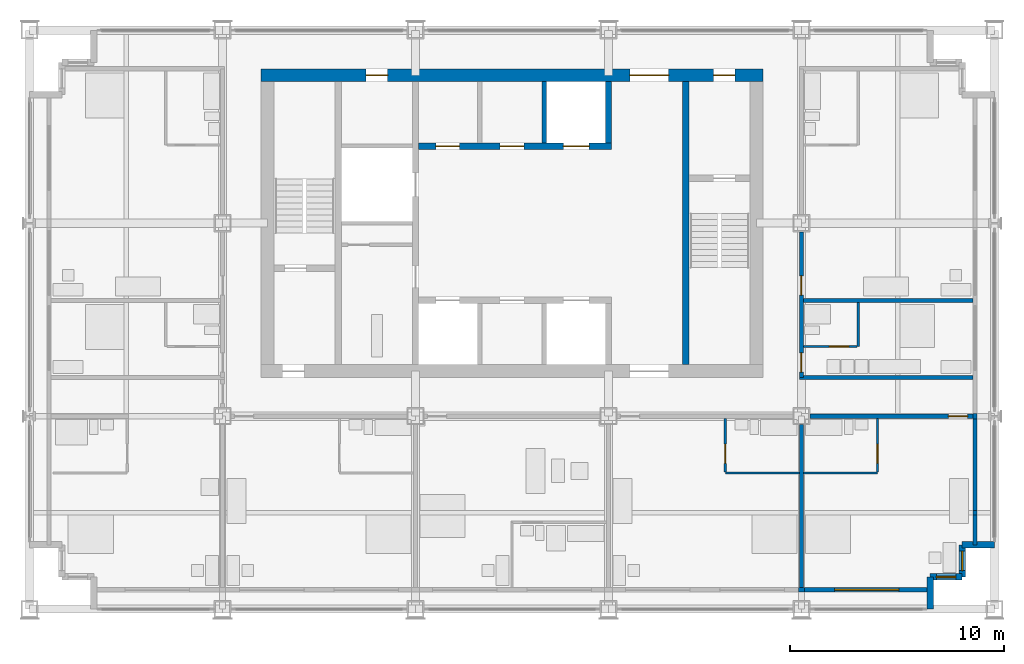
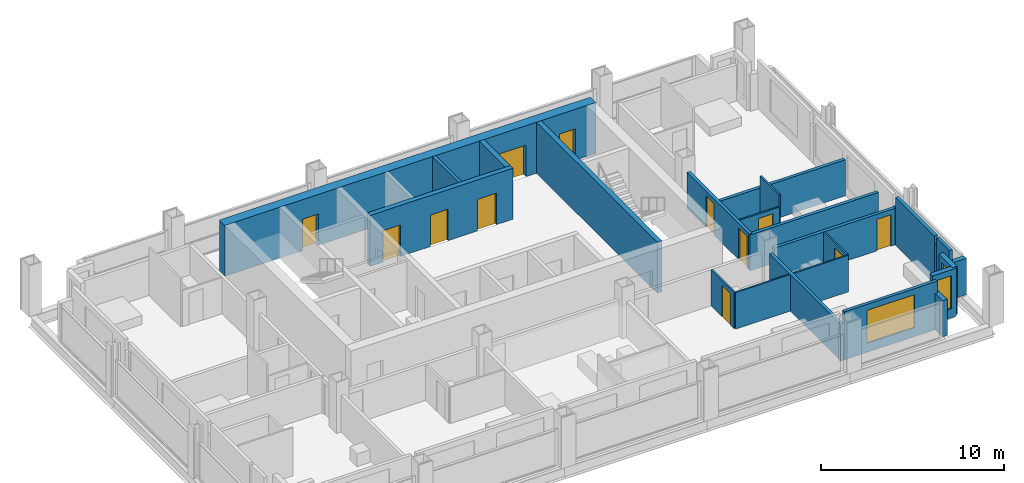
# One storey, part 9 of 13: 26 walls, 12 doors, 3 windows, 15 openings.
"""IFC4 building model written with IfcOpenShell, lengths in metres."""

from ifc_helpers import new_model, si_unit, direction, frame, frame_2d, origin, place, context, subcontext, project, spatial, rectangle, extrude, material, layer, layer_set, type_object, element, fill, save


model = new_model("IFC4")

# Units and contexts
model_context = context("Model", 3, precision=1e-05, world=origin(), true_north=direction((0.0, 1.0)))
body_context = subcontext(model_context, "Body", "Model", "MODEL_VIEW")
ifc_project = project(units=[si_unit("LENGTHUNIT", "METRE"), si_unit("AREAUNIT", "SQUARE_METRE"), si_unit("VOLUMEUNIT", "CUBIC_METRE"), si_unit("PLANEANGLEUNIT", "RADIAN"), si_unit("MASSUNIT", "GRAM", prefix="KILO")], contexts=[model_context])

# Site, building, storey
site_placement = place(None, origin())
site = spatial("IfcSite", under=ifc_project, at=site_placement, CompositionType="ELEMENT")
building_placement = place(site_placement, origin())
building = spatial("IfcBuilding", under=site, at=building_placement, Name="Loomwork Tower", CompositionType="ELEMENT")
storey_placement = place(building_placement, frame((0.0, 0.0, 180.800048828125)))
storey = spatial("IfcBuildingStorey", under=building, at=storey_placement, Name="L49", CompositionType="ELEMENT", Elevation=180.800048828125)

# Wall, openings, doors
ifc_material_1 = material(Name="Concrete 14000 psi (97 MPa)", Category="concrete")
ifc_layer_1 = layer(ifc_material_1, 0.300048828125)
ifc_layer_set_1 = layer_set([ifc_layer_1], Name="Core shear wall 300")
wall_type_1 = type_object("IfcWallType", Name="Core shear wall 300", PredefinedType="SHEAR", material=ifc_layer_set_1)
wall_1_placement = place(storey_placement, frame((18.14990234375, 21.60009765625, 0.0), z_axis=(0.0, 0.0, 1.0), x_axis=(1.0, 0.0, 0.0)))
wall_1 = element("IfcWall", 1, at=wall_1_placement, inside=storey, type_object=wall_type_1, Name="Lift front wall north L49", PredefinedType="SHEAR", context=body_context, shape_type="SweptSolid", body=[
    extrude(rectangle(XDim=9.0, YDim=0.300048828125, at=frame_2d((4.5, 0.0))), origin(), (0.0, 0.0, 1.0), 3.39990234375),
])
opening_1_placement = place(wall_1_placement, frame((6.75, 0.0, 0.0)))
opening_1 = element("IfcOpeningElement", 2, at=opening_1_placement, cuts=wall_1, Name="Opening LD2", PredefinedType="OPENING", context=body_context, shape_type="SweptSolid", body=[
    extrude(rectangle(XDim=1.199951171875, YDim=2.10009765625, at=frame_2d((0.60009765625, 1.050048828125))), frame((0.0, 0.159912109375, 0.0), z_axis=(0.0, -1.0, 0.0), x_axis=(1.0, 0.0, 0.0)), (0.0, 0.0, 1.0), 0.320068359375),
])
opening_2_placement = place(wall_1_placement, frame((0.800048828125, 0.0, 0.0)))
opening_2 = element("IfcOpeningElement", 3, at=opening_2_placement, cuts=wall_1, Name="Opening D17", PredefinedType="OPENING", context=body_context, shape_type="SweptSolid", body=[
    extrude(rectangle(XDim=1.10009765625, YDim=2.10009765625, at=frame_2d((0.550048828125, 1.050048828125))), frame((0.0, 0.159912109375, 0.0), z_axis=(0.0, -1.0, 0.0), x_axis=(1.0, 0.0, 0.0)), (0.0, 0.0, 1.0), 0.320068359375),
])
opening_3_placement = place(wall_1_placement, frame((3.800048828125, 0.0, 0.0)))
opening_3 = element("IfcOpeningElement", 4, at=opening_3_placement, cuts=wall_1, Name="Opening D17", PredefinedType="OPENING", context=body_context, shape_type="SweptSolid", body=[
    extrude(rectangle(XDim=1.10009765625, YDim=2.10009765625, at=frame_2d((0.550048828125, 1.050048828125))), frame((0.0, 0.159912109375, 0.0), z_axis=(0.0, -1.0, 0.0), x_axis=(1.0, 0.0, 0.0)), (0.0, 0.0, 1.0), 0.320068359375),
])
ifc_material_2 = material(Name="Hollow metal door and frame")
door_type_1 = type_object("IfcDoorType", Name="Lift landing door 1200", OperationType="SLIDING_TO_LEFT", PredefinedType="DOOR", material=ifc_material_2)
door_1_placement = place(opening_1_placement, origin())
door_1 = element("IfcDoor", 5, at=door_1_placement, inside=storey, type_object=door_type_1, Name="Lift landing door LF2", OperationType="SLIDING_TO_LEFT", OverallHeight=2.10009765625, OverallWidth=1.199951171875, PredefinedType="DOOR", context=body_context, shape_type="SweptSolid", body=[
    extrude(rectangle(XDim=1.199951171875, YDim=2.10009765625, at=frame_2d((0.60009765625, 1.050048828125))), frame((0.0, 0.02490234375, 0.0), z_axis=(0.0, -1.0, 0.0), x_axis=(1.0, 0.0, 0.0)), (0.0, 0.0, 1.0), 0.050048828125),
])
fill(opening_1, door_1)
ifc_material_3 = material(Name="Hollow metal door and frame")
door_type_2 = type_object("IfcDoorType", Name="Service room door 1100", OperationType="SINGLE_SWING_LEFT", PredefinedType="DOOR", material=ifc_material_3)
door_2_placement = place(opening_2_placement, origin())
door_2 = element("IfcDoor", 6, at=door_2_placement, inside=storey, type_object=door_type_2, Name="Housekeeping store door L49", OperationType="SINGLE_SWING_LEFT", OverallHeight=2.10009765625, OverallWidth=1.10009765625, PredefinedType="DOOR", context=body_context, shape_type="SweptSolid", body=[
    extrude(rectangle(XDim=1.10009765625, YDim=2.10009765625, at=frame_2d((0.550048828125, 1.050048828125))), frame((0.0, 0.02490234375, 0.0), z_axis=(0.0, -1.0, 0.0), x_axis=(1.0, 0.0, 0.0)), (0.0, 0.0, 1.0), 0.050048828125),
])
fill(opening_2, door_2)
door_3_placement = place(opening_3_placement, origin())
door_3 = element("IfcDoor", 7, at=door_3_placement, inside=storey, type_object=door_type_2, Name="Guest pantry, ice and vending door L49", OperationType="SINGLE_SWING_LEFT", OverallHeight=2.10009765625, OverallWidth=1.10009765625, PredefinedType="DOOR", context=body_context, shape_type="SweptSolid", body=[
    extrude(rectangle(XDim=1.10009765625, YDim=2.10009765625, at=frame_2d((0.550048828125, 1.050048828125))), frame((0.0, 0.02490234375, 0.0), z_axis=(0.0, -1.0, 0.0), x_axis=(1.0, 0.0, 0.0)), (0.0, 0.0, 1.0), 0.050048828125),
])
fill(opening_3, door_3)

# Walls
wall_2_placement = place(storey_placement, frame((27.0, 21.75, 0.0), z_axis=(0.0, 0.0, 1.0), x_axis=(0.0, 1.0, 0.0)))
element("IfcWall", 8, at=wall_2_placement, inside=storey, type_object=wall_type_1, Name="Lift shaft end wall north L49", PredefinedType="SHEAR", context=body_context, shape_type="SweptSolid", body=[
    extrude(rectangle(XDim=2.85009765625, YDim=0.300048828125, at=frame_2d((1.425048828125, 0.0))), origin(), (0.0, 0.0, 1.0), 3.39990234375),
])
wall_3_placement = place(storey_placement, frame((30.60009765625, 11.39990234375, 0.0), z_axis=(0.0, 0.0, 1.0), x_axis=(0.0, 1.0, 0.0)))
element("IfcWall", 9, at=wall_3_placement, inside=storey, type_object=wall_type_1, Name="Stair B west wall L49", PredefinedType="SHEAR", context=body_context, shape_type="SweptSolid", body=[
    extrude(rectangle(XDim=13.2001953125, YDim=0.300048828125, at=frame_2d((6.60009765625, 0.0))), origin(), (0.0, 0.0, 1.0), 3.39990234375),
])

# Wall, openings, doors
ifc_material_4 = material(Name="Concrete 14000 psi (97 MPa)", Category="concrete")
ifc_layer_2 = layer(ifc_material_4, 0.60009765625)
ifc_layer_set_2 = layer_set([ifc_layer_2], Name="Core shear wall 600")
wall_type_2 = type_object("IfcWallType", Name="Core shear wall 600", PredefinedType="SHEAR", material=ifc_layer_set_2)
wall_4_placement = place(storey_placement, frame((10.800048828125, 24.89990234375, 0.0), z_axis=(0.0, 0.0, 1.0), x_axis=(1.0, 0.0, 0.0)))
wall_4 = element("IfcWall", 10, at=wall_4_placement, inside=storey, type_object=wall_type_2, Name="Core wall north L49", PredefinedType="SHEAR", context=body_context, shape_type="SweptSolid", body=[
    extrude(rectangle(XDim=23.39990234375, YDim=0.60009765625, at=frame_2d((11.699951171875, 0.0))), origin(), (0.0, 0.0, 1.0), 3.39990234375),
])
opening_4_placement = place(wall_4_placement, frame((17.199951171875, 0.0, 0.0)))
opening_4 = element("IfcOpeningElement", 11, at=opening_4_placement, cuts=wall_4, Name="Opening D6", PredefinedType="OPENING", context=body_context, shape_type="SweptSolid", body=[
    extrude(rectangle(XDim=1.800048828125, YDim=2.10009765625, at=frame_2d((0.89990234375, 1.050048828125))), frame((0.0, 0.31005859375, 0.0), z_axis=(0.0, -1.0, 0.0), x_axis=(1.0, 0.0, 0.0)), (0.0, 0.0, 1.0), 0.6201171875),
])
opening_5_placement = place(wall_4_placement, frame((21.10009765625, 0.0, 0.0)))
opening_5 = element("IfcOpeningElement", 12, at=opening_5_placement, cuts=wall_4, Name="Opening D4", PredefinedType="OPENING", context=body_context, shape_type="SweptSolid", body=[
    extrude(rectangle(XDim=1.0, YDim=2.10009765625, at=frame_2d((0.5, 1.050048828125))), frame((0.0, 0.31005859375, 0.0), z_axis=(0.0, -1.0, 0.0), x_axis=(1.0, 0.0, 0.0)), (0.0, 0.0, 1.0), 0.6201171875),
])
opening_6_placement = place(wall_4_placement, frame((4.89990234375, 0.0, 0.0)))
opening_6 = element("IfcOpeningElement", 13, at=opening_6_placement, cuts=wall_4, Name="Opening D5", PredefinedType="OPENING", context=body_context, shape_type="SweptSolid", body=[
    extrude(rectangle(XDim=1.0, YDim=2.10009765625, at=frame_2d((0.5, 1.050048828125))), frame((0.0, 0.31005859375, 0.0), z_axis=(0.0, -1.0, 0.0), x_axis=(1.0, 0.0, 0.0)), (0.0, 0.0, 1.0), 0.6201171875),
])
ifc_material_5 = material(Name="Hollow metal door and frame")
door_type_3 = type_object("IfcDoorType", Name="Lobby passage double door 1800", OperationType="DOUBLE_DOOR_SINGLE_SWING", PredefinedType="DOOR", material=ifc_material_5)
door_4_placement = place(opening_4_placement, frame((1.800048828125, 0.0, 0.0), z_axis=(0.0, 0.0, 1.0), x_axis=(-1.0, 0.0, 0.0)))
door_4 = element("IfcDoor", 14, at=door_4_placement, inside=storey, type_object=door_type_3, Name="Lobby passage door north", OperationType="DOUBLE_DOOR_SINGLE_SWING", OverallHeight=2.10009765625, OverallWidth=1.800048828125, PredefinedType="DOOR", context=body_context, shape_type="SweptSolid", body=[
    extrude(rectangle(XDim=1.800048828125, YDim=2.10009765625, at=frame_2d((0.89990234375, 1.050048828125))), frame((0.0, 0.02490234375, 0.0), z_axis=(0.0, -1.0, 0.0), x_axis=(1.0, 0.0, 0.0)), (0.0, 0.0, 1.0), 0.050048828125),
])
fill(opening_4, door_4)
ifc_material_6 = material(Name="Hollow metal door and frame")
door_type_4 = type_object("IfcDoorType", Name="Service door 1000", OperationType="SINGLE_SWING_LEFT", PredefinedType="DOOR", material=ifc_material_6)
door_5_placement = place(opening_6_placement, frame((1.0, 0.0, 0.0), z_axis=(0.0, 0.0, 1.0), x_axis=(-1.0, 0.0, 0.0)))
door_5 = element("IfcDoor", 15, at=door_5_placement, inside=storey, type_object=door_type_4, Name="Back-of-house door north", OperationType="SINGLE_SWING_LEFT", OverallHeight=2.10009765625, OverallWidth=1.0, PredefinedType="DOOR", context=body_context, shape_type="SweptSolid", body=[
    extrude(rectangle(XDim=1.0, YDim=2.10009765625, at=frame_2d((0.5, 1.050048828125))), frame((0.0, 0.02490234375, 0.0), z_axis=(0.0, -1.0, 0.0), x_axis=(1.0, 0.0, 0.0)), (0.0, 0.0, 1.0), 0.050048828125),
])
fill(opening_6, door_5)
ifc_material_7 = material(Name="Hollow metal door and frame")
door_type_5 = type_object("IfcDoorType", Name="Stair door 1000", OperationType="SINGLE_SWING_RIGHT", PredefinedType="DOOR", material=ifc_material_7)
door_6_placement = place(opening_5_placement, frame((1.0, 0.0, 0.0), z_axis=(0.0, 0.0, 1.0), x_axis=(-1.0, 0.0, 0.0)))
door_6 = element("IfcDoor", 16, at=door_6_placement, inside=storey, type_object=door_type_5, Name="Stair B vestibule door", OperationType="SINGLE_SWING_LEFT", OverallHeight=2.10009765625, OverallWidth=1.0, PredefinedType="DOOR", context=body_context, shape_type="SweptSolid", body=[
    extrude(rectangle(XDim=1.0, YDim=2.10009765625, at=frame_2d((0.5, 1.050048828125))), frame((0.0, 0.02490234375, 0.0), z_axis=(0.0, -1.0, 0.0), x_axis=(1.0, 0.0, 0.0)), (0.0, 0.0, 1.0), 0.050048828125),
])
fill(opening_5, door_6)

# Wall, opening, door
ifc_material_8 = material(Name="Gypsum board on steel studs, one-hour", Category="steel")
ifc_layer_3 = layer(ifc_material_8, 0.199951171875)
ifc_layer_set_3 = layer_set([ifc_layer_3], Name="Corridor wall 200")
wall_type_3 = type_object("IfcWallType", Name="Corridor wall 200", PredefinedType="PARTITIONING", material=ifc_layer_set_3)
wall_5_placement = place(storey_placement, frame((36.39990234375, 9.0, 0.0), z_axis=(0.0, 0.0, 1.0), x_axis=(1.0, 0.0, 0.0)))
wall_5 = element("IfcWall", 17, at=wall_5_placement, inside=storey, type_object=wall_type_3, Name="South corridor wall 5", PredefinedType="PARTITIONING", context=body_context, shape_type="SweptSolid", body=[
    extrude(rectangle(XDim=7.60009765625, YDim=0.199951171875, at=frame_2d((3.800048828125, 0.0))), origin(), (0.0, 0.0, 1.0), 2.43798828125),
])
opening_7_placement = place(wall_5_placement, frame((6.449951171875, 0.0, 0.0)))
opening_7 = element("IfcOpeningElement", 18, at=opening_7_placement, cuts=wall_5, Name="Opening D1", PredefinedType="OPENING", context=body_context, shape_type="SweptSolid", body=[
    extrude(rectangle(XDim=0.89990234375, YDim=2.10009765625, at=frame_2d((0.449951171875, 1.050048828125))), frame((0.0, 0.10986328125, 0.0), z_axis=(0.0, -1.0, 0.0), x_axis=(1.0, 0.0, 0.0)), (0.0, 0.0, 1.0), 0.219970703125),
])
ifc_material_9 = material(Name="Hollow metal door and frame")
door_type_6 = type_object("IfcDoorType", Name="Guest room entry door 900", OperationType="SINGLE_SWING_LEFT", PredefinedType="DOOR", material=ifc_material_9)
door_7_placement = place(opening_7_placement, frame((0.89990234375, 0.0, 0.0), z_axis=(0.0, 0.0, 1.0), x_axis=(-1.0, 0.0, 0.0)))
door_7 = element("IfcDoor", 19, at=door_7_placement, inside=storey, type_object=door_type_6, Name="Guest room entry door L49 5", OperationType="SINGLE_SWING_LEFT", OverallHeight=2.10009765625, OverallWidth=0.89990234375, PredefinedType="DOOR", context=body_context, shape_type="SweptSolid", body=[
    extrude(rectangle(XDim=0.89990234375, YDim=2.10009765625, at=frame_2d((0.449951171875, 1.050048828125))), frame((0.0, 0.02490234375, 0.0), z_axis=(0.0, -1.0, 0.0), x_axis=(1.0, 0.0, 0.0)), (0.0, 0.0, 1.0), 0.050048828125),
])
fill(opening_7, door_7)

# Wall, openings, doors
wall_6_placement = place(storey_placement, frame((36.0, 10.800048828125, 0.0), z_axis=(0.0, 0.0, 1.0), x_axis=(0.0, 1.0, 0.0)))
wall_6 = element("IfcWall", 20, at=wall_6_placement, inside=storey, type_object=wall_type_3, Name="East corridor wall 1", PredefinedType="PARTITIONING", context=body_context, shape_type="SweptSolid", body=[
    extrude(rectangle(XDim=6.800048828125, YDim=0.199951171875, at=frame_2d((3.39990234375, 0.0))), origin(), (0.0, 0.0, 1.0), 2.405029296875),
])
opening_8_placement = place(wall_6_placement, frame((0.25, 0.0, 0.0)))
opening_8 = element("IfcOpeningElement", 21, at=opening_8_placement, cuts=wall_6, Name="Opening D1", PredefinedType="OPENING", context=body_context, shape_type="SweptSolid", body=[
    extrude(rectangle(XDim=0.89990234375, YDim=2.10009765625, at=frame_2d((0.449951171875, 1.050048828125))), frame((0.0, 0.10986328125, 0.0), z_axis=(0.0, -1.0, 0.0), x_axis=(1.0, 0.0, 0.0)), (0.0, 0.0, 1.0), 0.219970703125),
])
opening_9_placement = place(wall_6_placement, frame((3.85009765625, 0.0, 0.0)))
opening_9 = element("IfcOpeningElement", 22, at=opening_9_placement, cuts=wall_6, Name="Opening D1", PredefinedType="OPENING", context=body_context, shape_type="SweptSolid", body=[
    extrude(rectangle(XDim=0.89990234375, YDim=2.10009765625, at=frame_2d((0.449951171875, 1.050048828125))), frame((0.0, 0.10986328125, 0.0), z_axis=(0.0, -1.0, 0.0), x_axis=(1.0, 0.0, 0.0)), (0.0, 0.0, 1.0), 0.219970703125),
])
door_8_placement = place(opening_8_placement, frame((0.89990234375, 0.0, 0.0), z_axis=(0.0, 0.0, 1.0), x_axis=(-1.0, 0.0, 0.0)))
door_8 = element("IfcDoor", 23, at=door_8_placement, inside=storey, type_object=door_type_6, Name="Guest room entry door L49 8", OperationType="SINGLE_SWING_RIGHT", OverallHeight=2.10009765625, OverallWidth=0.89990234375, PredefinedType="DOOR", context=body_context, shape_type="SweptSolid", body=[
    extrude(rectangle(XDim=0.89990234375, YDim=2.10009765625, at=frame_2d((0.449951171875, 1.050048828125))), frame((0.0, 0.02490234375, 0.0), z_axis=(0.0, -1.0, 0.0), x_axis=(1.0, 0.0, 0.0)), (0.0, 0.0, 1.0), 0.050048828125),
])
fill(opening_8, door_8)
door_9_placement = place(opening_9_placement, frame((0.89990234375, 0.0, 0.0), z_axis=(0.0, 0.0, 1.0), x_axis=(-1.0, 0.0, 0.0)))
door_9 = element("IfcDoor", 24, at=door_9_placement, inside=storey, type_object=door_type_6, Name="Guest room entry door L49 9", OperationType="SINGLE_SWING_RIGHT", OverallHeight=2.10009765625, OverallWidth=0.89990234375, PredefinedType="DOOR", context=body_context, shape_type="SweptSolid", body=[
    extrude(rectangle(XDim=0.89990234375, YDim=2.10009765625, at=frame_2d((0.449951171875, 1.050048828125))), frame((0.0, 0.02490234375, 0.0), z_axis=(0.0, -1.0, 0.0), x_axis=(1.0, 0.0, 0.0)), (0.0, 0.0, 1.0), 0.050048828125),
])
fill(opening_9, door_9)

# Walls
wall_7_placement = place(storey_placement, frame((35.89990234375, 10.800048828125, 0.0), z_axis=(0.0, 0.0, 1.0), x_axis=(1.0, 0.0, 0.0)))
element("IfcWall", 25, at=wall_7_placement, inside=storey, type_object=wall_type_3, Name="East band end wall S", PredefinedType="PARTITIONING", context=body_context, shape_type="SweptSolid", body=[
    extrude(rectangle(XDim=8.10009765625, YDim=0.199951171875, at=frame_2d((4.050048828125, 0.0))), origin(), (0.0, 0.0, 1.0), 2.404052734375),
])
ifc_material_10 = material(Name="Cement board on steel studs", Category="steel")
ifc_layer_4 = layer(ifc_material_10, 0.10009765625)
ifc_layer_set_4 = layer_set([ifc_layer_4], Name="En-suite partition 100")
wall_type_4 = type_object("IfcWallType", Name="En-suite partition 100", PredefinedType="PARTITIONING", material=ifc_layer_set_4)
wall_8_placement = place(storey_placement, frame((32.449951171875, 6.35009765625, 0.0), z_axis=(0.0, 0.0, 1.0), x_axis=(1.0, 0.0, 0.0)))
element("IfcWall", 26, at=wall_8_placement, inside=storey, type_object=wall_type_4, Name="En-suite wall L49 room 4", PredefinedType="PARTITIONING", context=body_context, shape_type="SweptSolid", body=[
    extrude(rectangle(XDim=3.449951171875, YDim=0.10009765625, at=frame_2d((1.72509765625, 0.0))), origin(), (0.0, 0.0, 1.0), 2.43798828125),
])

# Wall, opening, door
wall_9_placement = place(storey_placement, frame((32.449951171875, 8.89990234375, 0.0), z_axis=(0.0, 0.0, 1.0), x_axis=(0.0, -1.0, 0.0)))
wall_9 = element("IfcWall", 27, at=wall_9_placement, inside=storey, type_object=wall_type_4, Name="En-suite side wall L49 room 4", PredefinedType="PARTITIONING", context=body_context, shape_type="SweptSolid", body=[
    extrude(rectangle(XDim=2.5, YDim=0.10009765625, at=frame_2d((1.25, 0.0))), origin(), (0.0, 0.0, 1.0), 2.404052734375),
])
opening_10_placement = place(wall_9_placement, frame((1.199951171875, 0.0, 0.0)))
opening_10 = element("IfcOpeningElement", 28, at=opening_10_placement, cuts=wall_9, Name="Opening D2", PredefinedType="OPENING", context=body_context, shape_type="SweptSolid", body=[
    extrude(rectangle(XDim=0.89990234375, YDim=2.10009765625, at=frame_2d((0.449951171875, 1.050048828125))), frame((0.0, 0.06005859375, 0.0), z_axis=(0.0, -1.0, 0.0), x_axis=(1.0, 0.0, 0.0)), (0.0, 0.0, 1.0), 0.1201171875),
])
ifc_material_11 = material(Name="Hollow metal door and frame")
door_type_7 = type_object("IfcDoorType", Name="En-suite door 900", OperationType="SINGLE_SWING_LEFT", PredefinedType="DOOR", material=ifc_material_11)
door_10_placement = place(opening_10_placement, origin())
door_10 = element("IfcDoor", 29, at=door_10_placement, inside=storey, type_object=door_type_7, Name="En-suite door room 4", OperationType="SINGLE_SWING_RIGHT", OverallHeight=2.10009765625, OverallWidth=0.89990234375, PredefinedType="DOOR", context=body_context, shape_type="SweptSolid", body=[
    extrude(rectangle(XDim=0.89990234375, YDim=2.10009765625, at=frame_2d((0.449951171875, 1.050048828125))), frame((0.0, 0.02490234375, 0.0), z_axis=(0.0, -1.0, 0.0), x_axis=(1.0, 0.0, 0.0)), (0.0, 0.0, 1.0), 0.050048828125),
])
fill(opening_10, door_10)

# Wall
wall_10_placement = place(storey_placement, frame((36.10009765625, 6.35009765625, 0.0), z_axis=(0.0, 0.0, 1.0), x_axis=(1.0, 0.0, 0.0)))
element("IfcWall", 30, at=wall_10_placement, inside=storey, type_object=wall_type_4, Name="En-suite wall L49 room 5", PredefinedType="PARTITIONING", context=body_context, shape_type="SweptSolid", body=[
    extrude(rectangle(XDim=3.449951171875, YDim=0.10009765625, at=frame_2d((1.72509765625, 0.0))), origin(), (0.0, 0.0, 1.0), 2.43798828125),
])

# Wall, opening, door
wall_11_placement = place(storey_placement, frame((39.550048828125, 8.89990234375, 0.0), z_axis=(0.0, 0.0, 1.0), x_axis=(0.0, -1.0, 0.0)))
wall_11 = element("IfcWall", 31, at=wall_11_placement, inside=storey, type_object=wall_type_4, Name="En-suite side wall L49 room 5", PredefinedType="PARTITIONING", context=body_context, shape_type="SweptSolid", body=[
    extrude(rectangle(XDim=2.5, YDim=0.10009765625, at=frame_2d((1.25, 0.0))), origin(), (0.0, 0.0, 1.0), 2.43798828125),
])
opening_11_placement = place(wall_11_placement, frame((1.199951171875, 0.0, 0.0)))
opening_11 = element("IfcOpeningElement", 32, at=opening_11_placement, cuts=wall_11, Name="Opening D2", PredefinedType="OPENING", context=body_context, shape_type="SweptSolid", body=[
    extrude(rectangle(XDim=0.89990234375, YDim=2.10009765625, at=frame_2d((0.449951171875, 1.050048828125))), frame((0.0, 0.06005859375, 0.0), z_axis=(0.0, -1.0, 0.0), x_axis=(1.0, 0.0, 0.0)), (0.0, 0.0, 1.0), 0.1201171875),
])
door_11_placement = place(opening_11_placement, frame((0.89990234375, 0.0, 0.0), z_axis=(0.0, 0.0, 1.0), x_axis=(-1.0, 0.0, 0.0)))
door_11 = element("IfcDoor", 33, at=door_11_placement, inside=storey, type_object=door_type_7, Name="En-suite door room 5", OperationType="SINGLE_SWING_LEFT", OverallHeight=2.10009765625, OverallWidth=0.89990234375, PredefinedType="DOOR", context=body_context, shape_type="SweptSolid", body=[
    extrude(rectangle(XDim=0.89990234375, YDim=2.10009765625, at=frame_2d((0.449951171875, 1.050048828125))), frame((0.0, 0.02490234375, 0.0), z_axis=(0.0, -1.0, 0.0), x_axis=(1.0, 0.0, 0.0)), (0.0, 0.0, 1.0), 0.050048828125),
])
fill(opening_11, door_11)

# Wall
wall_12_placement = place(storey_placement, frame((38.64990234375, 12.25, 0.0), z_axis=(0.0, 0.0, 1.0), x_axis=(0.0, 1.0, 0.0)))
element("IfcWall", 34, at=wall_12_placement, inside=storey, type_object=wall_type_4, Name="En-suite wall L49 room 8", PredefinedType="PARTITIONING", context=body_context, shape_type="SweptSolid", body=[
    extrude(rectangle(XDim=2.050048828125, YDim=0.10009765625, at=frame_2d((1.02490234375, 0.0))), origin(), (0.0, 0.0, 1.0), 3.199951171875),
])

# Wall, opening, door
wall_13_placement = place(storey_placement, frame((36.10009765625, 12.25, 0.0), z_axis=(0.0, 0.0, 1.0), x_axis=(1.0, 0.0, 0.0)))
wall_13 = element("IfcWall", 35, at=wall_13_placement, inside=storey, type_object=wall_type_4, Name="En-suite side wall L49 room 8", PredefinedType="PARTITIONING", context=body_context, shape_type="SweptSolid", body=[
    extrude(rectangle(XDim=2.5, YDim=0.10009765625, at=frame_2d((1.25, 0.0))), origin(), (0.0, 0.0, 1.0), 2.404052734375),
])
opening_12_placement = place(wall_13_placement, frame((1.199951171875, 0.0, 0.0)))
opening_12 = element("IfcOpeningElement", 36, at=opening_12_placement, cuts=wall_13, Name="Opening D2", PredefinedType="OPENING", context=body_context, shape_type="SweptSolid", body=[
    extrude(rectangle(XDim=0.89990234375, YDim=2.10009765625, at=frame_2d((0.449951171875, 1.050048828125))), frame((0.0, 0.06005859375, 0.0), z_axis=(0.0, -1.0, 0.0), x_axis=(1.0, 0.0, 0.0)), (0.0, 0.0, 1.0), 0.1201171875),
])
door_12_placement = place(opening_12_placement, origin())
door_12 = element("IfcDoor", 37, at=door_12_placement, inside=storey, type_object=door_type_7, Name="En-suite door room 8", OperationType="SINGLE_SWING_RIGHT", OverallHeight=2.10009765625, OverallWidth=0.89990234375, PredefinedType="DOOR", context=body_context, shape_type="SweptSolid", body=[
    extrude(rectangle(XDim=0.89990234375, YDim=2.10009765625, at=frame_2d((0.449951171875, 1.050048828125))), frame((0.0, 0.02490234375, 0.0), z_axis=(0.0, -1.0, 0.0), x_axis=(1.0, 0.0, 0.0)), (0.0, 0.0, 1.0), 0.050048828125),
])
fill(opening_12, door_12)

# Walls
ifc_material_12 = material(Name="Gypsum board on steel studs, acoustic", Category="steel")
ifc_layer_5 = layer(ifc_material_12, 0.199951171875)
ifc_layer_set_5 = layer_set([ifc_layer_5], Name="Guest room party wall 200")
wall_type_5 = type_object("IfcWallType", Name="Guest room party wall 200", PredefinedType="PARTITIONING", material=ifc_layer_set_5)
wall_14_placement = place(storey_placement, frame((36.0, 8.60009765625, 0.0), z_axis=(0.0, 0.0, 1.0), x_axis=(0.0, -1.0, 0.0)))
element("IfcWall", 38, at=wall_14_placement, inside=storey, type_object=wall_type_5, Name="Guest room party wall S 36", PredefinedType="PARTITIONING", context=body_context, shape_type="SweptSolid", body=[
    extrude(rectangle(XDim=7.60009765625, YDim=0.199951171875, at=frame_2d((3.800048828125, 0.0))), origin(), (0.0, 0.0, 1.0), 2.43798828125),
])
wall_15_placement = place(storey_placement, frame((36.10009765625, 14.39990234375, 0.0), z_axis=(0.0, 0.0, 1.0), x_axis=(1.0, 0.0, 0.0)))
element("IfcWall", 39, at=wall_15_placement, inside=storey, type_object=wall_type_5, Name="Guest room party wall E 14.4", PredefinedType="PARTITIONING", context=body_context, shape_type="SweptSolid", body=[
    extrude(rectangle(XDim=7.89990234375, YDim=0.199951171875, at=frame_2d((3.949951171875, 0.0))), origin(), (0.0, 0.0, 1.0), 2.404052734375),
])
ifc_material_13 = material(Name="Insulated steel stud wall with gypsum lining", Category="steel")
ifc_layer_6 = layer(ifc_material_13, 0.199951171875)
ifc_layer_set_6 = layer_set([ifc_layer_6], Name="Inner skin wall 200")
wall_type_6 = type_object("IfcWallType", Name="Inner skin wall 200", PredefinedType="SOLIDWALL", material=ifc_layer_set_6)
wall_16_placement = place(storey_placement, frame((44.10009765625, 3.0, 0.0), z_axis=(0.0, 0.0, 1.0), x_axis=(0.0, 1.0, 0.0)))
element("IfcWall", 40, at=wall_16_placement, inside=storey, type_object=wall_type_6, Name="Inner skin wall E", PredefinedType="SOLIDWALL", context=body_context, shape_type="SweptSolid", body=[
    extrude(rectangle(XDim=1.392578125, YDim=0.199951171875, at=frame_2d((0.6962890625, 0.0))), origin(), (0.0, 0.0, 1.0), 3.199951171875),
])
wall_17_placement = place(storey_placement, frame((35.864501953125, 0.89990234375, 0.0), z_axis=(0.0, 0.0, 1.0), x_axis=(1.0, 0.0, 0.0)))
element("IfcWall", 41, at=wall_17_placement, inside=storey, type_object=wall_type_6, Name="Inner skin wall S bay 8", PredefinedType="SOLIDWALL", context=body_context, shape_type="SweptSolid", body=[
    extrude(rectangle(XDim=0.27099609375, YDim=0.199951171875, at=frame_2d((0.135498046875, 0.0))), origin(), (0.0, 0.0, 1.0), 2.43798828125),
])

# Wall, opening, window
wall_18_placement = place(storey_placement, frame((36.135498046875, 0.89990234375, 0.0), z_axis=(0.0, 0.0, 1.0), x_axis=(1.0, 0.0, 0.0)))
wall_18 = element("IfcWall", 42, at=wall_18_placement, inside=storey, type_object=wall_type_6, Name="Inner skin wall S bay 9", PredefinedType="SOLIDWALL", context=body_context, shape_type="SweptSolid", body=[
    extrude(rectangle(XDim=5.864501953125, YDim=0.199951171875, at=frame_2d((2.93212890625, 0.0))), origin(), (0.0, 0.0, 1.0), 3.199951171875),
])
opening_13_placement = place(wall_18_placement, frame((1.41455078125, 0.0, 0.60009765625)))
opening_13 = element("IfcOpeningElement", 43, at=opening_13_placement, cuts=wall_18, Name="Opening CH1", PredefinedType="OPENING", context=body_context, shape_type="SweptSolid", body=[
    extrude(rectangle(XDim=3.0, YDim=2.199951171875, at=frame_2d((1.5, 1.10009765625))), frame((0.0, 0.10986328125, 0.0), z_axis=(0.0, -1.0, 0.0), x_axis=(1.0, 0.0, 0.0)), (0.0, 0.0, 1.0), 0.219970703125),
])
ifc_material_14 = material(Name="Aluminium frame with clear insulated glass", Category="aluminium")
window_type_1 = type_object("IfcWindowType", Name="Chicago window 3000", PartitioningType="TRIPLE_PANEL_VERTICAL", PredefinedType="WINDOW", material=ifc_material_14)
window_1_placement = place(opening_13_placement, origin())
window_1 = element("IfcWindow", 44, at=window_1_placement, inside=storey, type_object=window_type_1, Name="Chicago window L49 bay 5", OverallHeight=2.199951171875, OverallWidth=3.0, PartitioningType="TRIPLE_PANEL_VERTICAL", PredefinedType="WINDOW", context=body_context, shape_type="SweptSolid", body=[
    extrude(rectangle(XDim=3.0, YDim=2.199951171875, at=frame_2d((1.5, 1.10009765625))), frame((0.0, 0.030029296875, 0.0), z_axis=(0.0, -1.0, 0.0), x_axis=(1.0, 0.0, 0.0)), (0.0, 0.0, 1.0), 0.06005859375),
])
fill(opening_13, window_1)

# Walls
wall_19_placement = place(storey_placement, frame((44.10009765625, 4.392578125, 0.0), z_axis=(0.0, 0.0, 1.0), x_axis=(0.0, 1.0, 0.0)))
element("IfcWall", 45, at=wall_19_placement, inside=storey, type_object=wall_type_6, Name="Inner skin wall E bay 2", PredefinedType="SOLIDWALL", context=body_context, shape_type="SweptSolid", body=[
    extrude(rectangle(XDim=0.21484375, YDim=0.199951171875, at=frame_2d((0.107421875, 0.0))), origin(), (0.0, 0.0, 1.0), 2.660888671875),
])
wall_20_placement = place(storey_placement, frame((44.10009765625, 4.607421875, 0.0), z_axis=(0.0, 0.0, 1.0), x_axis=(0.0, 1.0, 0.0)))
element("IfcWall", 46, at=wall_20_placement, inside=storey, type_object=wall_type_6, Name="Inner skin wall E bay 3", PredefinedType="SOLIDWALL", context=body_context, shape_type="SweptSolid", body=[
    extrude(rectangle(XDim=4.25732421875, YDim=0.199951171875, at=frame_2d((2.128662109375, 0.0))), origin(), (0.0, 0.0, 1.0), 3.199951171875),
])
wall_21_placement = place(storey_placement, frame((44.10009765625, 8.86474609375, 0.0), z_axis=(0.0, 0.0, 1.0), x_axis=(0.0, 1.0, 0.0)))
element("IfcWall", 47, at=wall_21_placement, inside=storey, type_object=wall_type_6, Name="Inner skin wall E bay 4", PredefinedType="SOLIDWALL", context=body_context, shape_type="SweptSolid", body=[
    extrude(rectangle(XDim=0.2705078125, YDim=0.199951171875, at=frame_2d((0.13525390625, 0.0))), origin(), (0.0, 0.0, 1.0), 2.43798828125),
])
ifc_material_15 = material(Name="Concrete 14000 psi (97 MPa)", Category="concrete")
ifc_layer_7 = layer(ifc_material_15, 0.199951171875)
ifc_layer_set_7 = layer_set([ifc_layer_7], Name="Lift shaft wall 200")
wall_type_7 = type_object("IfcWallType", Name="Lift shaft wall 200", PredefinedType="SHEAR", material=ifc_layer_set_7)
wall_22_placement = place(storey_placement, frame((24.0, 21.75, 0.0), z_axis=(0.0, 0.0, 1.0), x_axis=(0.0, 1.0, 0.0)))
element("IfcWall", 48, at=wall_22_placement, inside=storey, type_object=wall_type_7, Name="Lift shaft separation wall north 2 L49", PredefinedType="SHEAR", context=body_context, shape_type="SweptSolid", body=[
    extrude(rectangle(XDim=2.85009765625, YDim=0.199951171875, at=frame_2d((1.425048828125, 0.0))), origin(), (0.0, 0.0, 1.0), 3.39990234375),
])
ifc_material_16 = material(Name="Limestone on concrete masonry", Category="masonry")
ifc_layer_8 = layer(ifc_material_16, 0.300048828125)
ifc_layer_set_8 = layer_set([ifc_layer_8], Name="Limestone corner wall 300")
wall_type_8 = type_object("IfcWallType", Name="Limestone corner wall 300", PredefinedType="SOLIDWALL", material=ifc_layer_set_8)
wall_23_placement = place(storey_placement, frame((42.0, 0.0, 0.0), z_axis=(0.0, 0.0, 1.0), x_axis=(0.0, 1.0, 0.0)))
element("IfcWall", 49, at=wall_23_placement, inside=storey, type_object=wall_type_8, Name="Stone corner wall SE 1", PredefinedType="SOLIDWALL", context=body_context, shape_type="SweptSolid", body=[
    extrude(rectangle(XDim=1.5, YDim=0.300048828125, at=frame_2d((0.75, 0.0))), origin(), (0.0, 0.0, 1.0), 2.419921875),
])

# Wall, opening, window
wall_24_placement = place(storey_placement, frame((42.0, 1.5, 0.0), z_axis=(0.0, 0.0, 1.0), x_axis=(1.0, 0.0, 0.0)))
wall_24 = element("IfcWall", 50, at=wall_24_placement, inside=storey, type_object=wall_type_8, Name="Stone corner wall SE 2", PredefinedType="SOLIDWALL", context=body_context, shape_type="SweptSolid", body=[
    extrude(rectangle(XDim=1.5, YDim=0.300048828125, at=frame_2d((0.75, 0.0))), origin(), (0.0, 0.0, 1.0), 3.199951171875),
])
opening_14_placement = place(wall_24_placement, frame((0.300048828125, 0.0, 0.60009765625)))
opening_14 = element("IfcOpeningElement", 51, at=opening_14_placement, cuts=wall_24, Name="Opening CH2", PredefinedType="OPENING", context=body_context, shape_type="SweptSolid", body=[
    extrude(rectangle(XDim=0.89990234375, YDim=2.199951171875, at=frame_2d((0.449951171875, 1.10009765625))), frame((0.0, 0.159912109375, 0.0), z_axis=(0.0, -1.0, 0.0), x_axis=(1.0, 0.0, 0.0)), (0.0, 0.0, 1.0), 0.320068359375),
])
ifc_material_17 = material(Name="Aluminium frame with clear insulated glass", Category="aluminium")
window_type_2 = type_object("IfcWindowType", Name="Corner window 900", PartitioningType="SINGLE_PANEL", PredefinedType="WINDOW", material=ifc_material_17)
window_2_placement = place(opening_14_placement, origin())
window_2 = element("IfcWindow", 52, at=window_2_placement, inside=storey, type_object=window_type_2, Name="Corner window SE", OverallHeight=2.199951171875, OverallWidth=0.89990234375, PartitioningType="SINGLE_PANEL", PredefinedType="WINDOW", context=body_context, shape_type="SweptSolid", body=[
    extrude(rectangle(XDim=0.89990234375, YDim=2.199951171875, at=frame_2d((0.449951171875, 1.10009765625))), frame((0.0, 0.030029296875, 0.0), z_axis=(0.0, -1.0, 0.0), x_axis=(1.0, 0.0, 0.0)), (0.0, 0.0, 1.0), 0.06005859375),
])
fill(opening_14, window_2)

wall_25_placement = place(storey_placement, frame((43.5, 1.5, 0.0), z_axis=(0.0, 0.0, 1.0), x_axis=(0.0, 1.0, 0.0)))
wall_25 = element("IfcWall", 53, at=wall_25_placement, inside=storey, type_object=wall_type_8, Name="Stone corner wall SE 3", PredefinedType="SOLIDWALL", context=body_context, shape_type="SweptSolid", body=[
    extrude(rectangle(XDim=1.5, YDim=0.300048828125, at=frame_2d((0.75, 0.0))), origin(), (0.0, 0.0, 1.0), 3.199951171875),
])
opening_15_placement = place(wall_25_placement, frame((0.300048828125, 0.0, 0.60009765625)))
opening_15 = element("IfcOpeningElement", 54, at=opening_15_placement, cuts=wall_25, Name="Opening CH2", PredefinedType="OPENING", context=body_context, shape_type="SweptSolid", body=[
    extrude(rectangle(XDim=0.89990234375, YDim=2.199951171875, at=frame_2d((0.449951171875, 1.10009765625))), frame((0.0, 0.159912109375, 0.0), z_axis=(0.0, -1.0, 0.0), x_axis=(1.0, 0.0, 0.0)), (0.0, 0.0, 1.0), 0.320068359375),
])
window_3_placement = place(opening_15_placement, origin())
window_3 = element("IfcWindow", 55, at=window_3_placement, inside=storey, type_object=window_type_2, Name="Corner window SE", OverallHeight=2.199951171875, OverallWidth=0.89990234375, PartitioningType="SINGLE_PANEL", PredefinedType="WINDOW", context=body_context, shape_type="SweptSolid", body=[
    extrude(rectangle(XDim=0.89990234375, YDim=2.199951171875, at=frame_2d((0.449951171875, 1.10009765625))), frame((0.0, 0.030029296875, 0.0), z_axis=(0.0, -1.0, 0.0), x_axis=(1.0, 0.0, 0.0)), (0.0, 0.0, 1.0), 0.06005859375),
])
fill(opening_15, window_3)

# Wall
wall_26_placement = place(storey_placement, frame((43.5, 3.0, 0.0), z_axis=(0.0, 0.0, 1.0), x_axis=(1.0, 0.0, 0.0)))
element("IfcWall", 56, at=wall_26_placement, inside=storey, type_object=wall_type_8, Name="Stone corner wall SE 4", PredefinedType="SOLIDWALL", context=body_context, shape_type="SweptSolid", body=[
    extrude(rectangle(XDim=1.5, YDim=0.300048828125, at=frame_2d((0.75, 0.0))), origin(), (0.0, 0.0, 1.0), 2.419921875),
])

save(model, "model.ifc")
